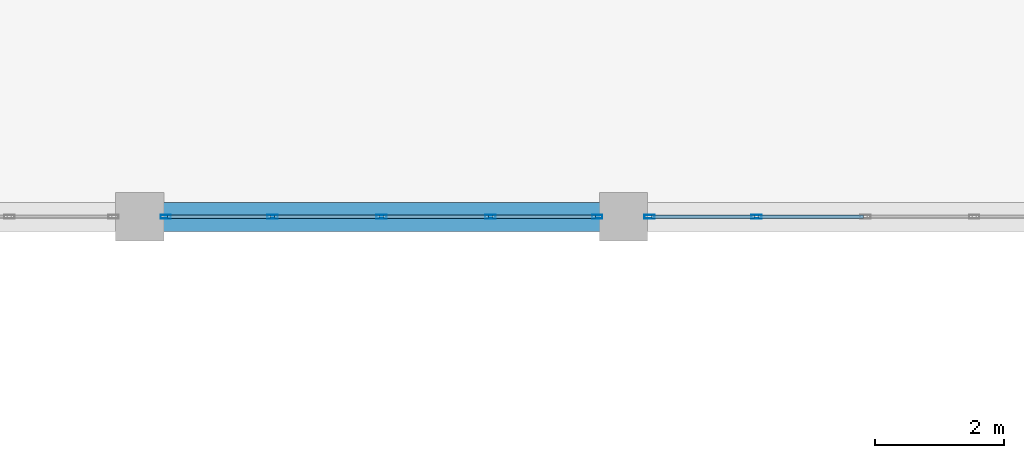
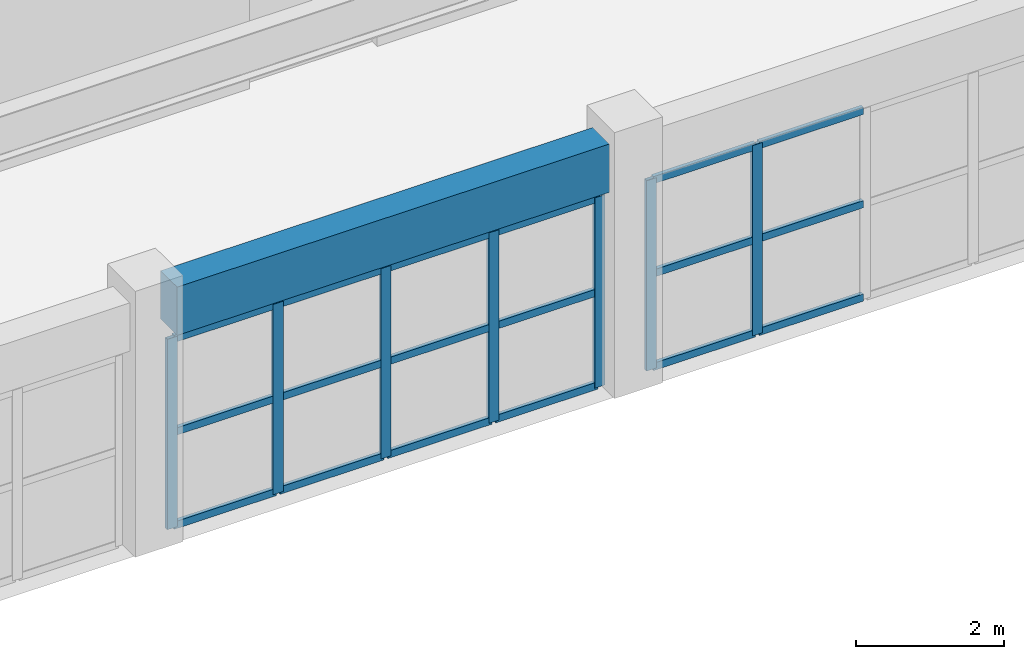
# One storey, part 22 of 90: 25 members, 1 beam, 2 elements without a shape of their own.
"""IFC4 building model written with IfcOpenShell, lengths in metres."""

from ifc_helpers import new_model, si_unit, direction, frame, origin, origin_2d, place, context, subcontext, project, spatial, rectangle, hollow_rectangle, extrude, material, layer, layer_set, material_profile, profile_set, type_object, element, aggregate, save


model = new_model("IFC4")

# Units and contexts
model_context = context("Model", 3, precision=1e-05, world=origin(), true_north=direction((0.0, 1.0)))
body_context = subcontext(model_context, "Body", "Model", "MODEL_VIEW")
ifc_project = project(units=[si_unit("LENGTHUNIT", "METRE"), si_unit("AREAUNIT", "SQUARE_METRE"), si_unit("VOLUMEUNIT", "CUBIC_METRE"), si_unit("PLANEANGLEUNIT", "RADIAN"), si_unit("MASSUNIT", "GRAM", prefix="KILO")], contexts=[model_context])

# Site, building, storey
site_placement = place(None, origin())
site = spatial("IfcSite", under=ifc_project, at=site_placement, CompositionType="ELEMENT")
building_placement = place(site_placement, origin())
building = spatial("IfcBuilding", under=site, at=building_placement, Name="Muzn Square Opera House", CompositionType="ELEMENT")
storey_placement = place(building_placement, frame((0.0, 0.0, 9.800048828125)))
storey = spatial("IfcBuildingStorey", under=building, at=storey_placement, Name="L02", CompositionType="ELEMENT", Elevation=9.800048828125)

# Curtain wall, members
ifc_material_1 = material(Name="Low-E laminated acoustic double glazing", Category="glass")
ifc_layer = layer(ifc_material_1, 0.159912109375, Name="Low-E laminated acoustic double glazing", Category="glass")
ifc_layer_set = layer_set([ifc_layer], Name="Low-E laminated acoustic double glazing")
curtain_wall_type = type_object("IfcCurtainWallType", Name="Glazed Curtain Wall Forecourt 6750x3150", PredefinedType="USERDEFINED", material=ifc_layer_set)
curtain_wall_1_placement = place(storey_placement, origin())
curtain_wall_1 = element("IfcCurtainWall", 1, at=curtain_wall_1_placement, inside=storey, type_object=curtain_wall_type, Name="Glazed Curtain Wall CW-L02-014", ObjectType="GLAZED CURTAIN WALL", PredefinedType="USERDEFINED")
ifc_material_2 = material(Name="Anodised bronze aluminium 6063-T6", Category="metal")
ifc_material_profile_1 = material_profile(ifc_material_2, hollow_rectangle(XDim=0.06005859375, YDim=0.159912109375, WallThickness=0.00390625, at=origin_2d()), Name="ALU 160x60x4", Category="metal")
ifc_profile_set_1 = profile_set([ifc_material_profile_1], Name="Anodised bronze aluminium 6063-T6")
member_type_1 = type_object("IfcMemberType", Name="Curtain Wall Mullion 160x60", PredefinedType="MULLION", material=ifc_profile_set_1)
member_1_placement = place(storey_placement, frame((80.905029296875, 22.0, 0.0), z_axis=(0.0, 0.0, 1.0), x_axis=(0.0, 1.0, 0.0)))
member_1 = element("IfcMember", 2, at=member_1_placement, type_object=member_type_1, Name="CW-FC-67x31 mullion 1", PredefinedType="MULLION", context=body_context, shape_type="SweptSolid", body=[
    extrude(hollow_rectangle(XDim=0.06005859375, YDim=0.159912109375, WallThickness=0.00390625, at=origin_2d()), origin(), (0.0, 0.0, 1.0), 3.14990234375),
])
member_2_placement = place(storey_placement, frame((82.5625, 22.0, 0.0), z_axis=(0.0, 0.0, 1.0), x_axis=(0.0, 1.0, 0.0)))
member_2 = element("IfcMember", 3, at=member_2_placement, type_object=member_type_1, Name="CW-FC-67x31 mullion 2", PredefinedType="MULLION", context=body_context, shape_type="SweptSolid", body=[
    extrude(hollow_rectangle(XDim=0.06005859375, YDim=0.159912109375, WallThickness=0.00390625, at=origin_2d()), origin(), (0.0, 0.0, 1.0), 3.14990234375),
])
member_3_placement = place(storey_placement, frame((84.25, 22.0, 0.0), z_axis=(0.0, 0.0, 1.0), x_axis=(0.0, 1.0, 0.0)))
member_3 = element("IfcMember", 4, at=member_3_placement, type_object=member_type_1, Name="CW-FC-67x31 mullion 3", PredefinedType="MULLION", context=body_context, shape_type="SweptSolid", body=[
    extrude(hollow_rectangle(XDim=0.06005859375, YDim=0.159912109375, WallThickness=0.00390625, at=origin_2d()), origin(), (0.0, 0.0, 1.0), 3.14990234375),
])
member_4_placement = place(storey_placement, frame((85.9375, 22.0, 0.0), z_axis=(0.0, 0.0, 1.0), x_axis=(0.0, 1.0, 0.0)))
member_4 = element("IfcMember", 5, at=member_4_placement, type_object=member_type_1, Name="CW-FC-67x31 mullion 4", PredefinedType="MULLION", context=body_context, shape_type="SweptSolid", body=[
    extrude(hollow_rectangle(XDim=0.06005859375, YDim=0.159912109375, WallThickness=0.00390625, at=origin_2d()), origin(), (0.0, 0.0, 1.0), 3.14990234375),
])
member_5_placement = place(storey_placement, frame((87.594970703125, 22.0, 0.0), z_axis=(0.0, 0.0, 1.0), x_axis=(0.0, 1.0, 0.0)))
member_5 = element("IfcMember", 6, at=member_5_placement, type_object=member_type_1, Name="CW-FC-67x31 mullion 5", PredefinedType="MULLION", context=body_context, shape_type="SweptSolid", body=[
    extrude(hollow_rectangle(XDim=0.06005859375, YDim=0.159912109375, WallThickness=0.00390625, at=origin_2d()), origin(), (0.0, 0.0, 1.0), 3.14990234375),
])

curtain_wall_2_placement = place(storey_placement, origin())
curtain_wall_2 = element("IfcCurtainWall", 7, at=curtain_wall_2_placement, inside=storey, type_object=curtain_wall_type, Name="Glazed Curtain Wall CW-L02-015", ObjectType="GLAZED CURTAIN WALL", PredefinedType="USERDEFINED")
member_6_placement = place(storey_placement, frame((88.405029296875, 22.0, 0.0), z_axis=(0.0, 0.0, 1.0), x_axis=(0.0, 1.0, 0.0)))
member_6 = element("IfcMember", 8, at=member_6_placement, type_object=member_type_1, Name="CW-FC-67x31 mullion 1", PredefinedType="MULLION", context=body_context, shape_type="SweptSolid", body=[
    extrude(hollow_rectangle(XDim=0.06005859375, YDim=0.159912109375, WallThickness=0.00390625, at=origin_2d()), origin(), (0.0, 0.0, 1.0), 3.14990234375),
])
member_7_placement = place(storey_placement, frame((90.0625, 22.0, 0.0), z_axis=(0.0, 0.0, 1.0), x_axis=(0.0, 1.0, 0.0)))
member_7 = element("IfcMember", 9, at=member_7_placement, type_object=member_type_1, Name="CW-FC-67x31 mullion 2", PredefinedType="MULLION", context=body_context, shape_type="SweptSolid", body=[
    extrude(hollow_rectangle(XDim=0.06005859375, YDim=0.159912109375, WallThickness=0.00390625, at=origin_2d()), origin(), (0.0, 0.0, 1.0), 3.14990234375),
])

# Member
ifc_material_profile_2 = material_profile(ifc_material_2, hollow_rectangle(XDim=0.06005859375, YDim=0.1201171875, WallThickness=0.00390625, at=origin_2d()), Name="ALU 120x60x4", Category="metal")
ifc_profile_set_2 = profile_set([ifc_material_profile_2], Name="Anodised bronze aluminium 6063-T6")
member_type_2 = type_object("IfcMemberType", Name="Curtain Wall Transom 120x60", PredefinedType="USERDEFINED", material=ifc_profile_set_2)
member_8_placement = place(storey_placement, frame((80.93505859375, 22.0, 0.030029296875), z_axis=(1.0, 0.0, 0.0), x_axis=(0.0, 1.0, 0.0)))
member_8 = element("IfcMember", 10, at=member_8_placement, type_object=member_type_2, Name="CW-FC-67x31 transom 1.1", ObjectType="TRANSOM", PredefinedType="USERDEFINED", context=body_context, shape_type="SweptSolid", body=[
    extrude(hollow_rectangle(XDim=0.06005859375, YDim=0.1201171875, WallThickness=0.00390625, at=origin_2d()), origin(), (0.0, 0.0, 1.0), 1.597412109375),
])

member_9_placement = place(storey_placement, frame((80.93505859375, 22.0, 1.574951171875), z_axis=(1.0, 0.0, 0.0), x_axis=(0.0, 1.0, 0.0)))
member_9 = element("IfcMember", 11, at=member_9_placement, type_object=member_type_2, Name="CW-FC-67x31 transom 1.2", ObjectType="TRANSOM", PredefinedType="USERDEFINED", context=body_context, shape_type="SweptSolid", body=[
    extrude(hollow_rectangle(XDim=0.06005859375, YDim=0.1201171875, WallThickness=0.00390625, at=origin_2d()), origin(), (0.0, 0.0, 1.0), 1.597412109375),
])

member_10_placement = place(storey_placement, frame((80.93505859375, 22.0, 3.119873046875), z_axis=(1.0, 0.0, 0.0), x_axis=(0.0, 1.0, 0.0)))
member_10 = element("IfcMember", 12, at=member_10_placement, type_object=member_type_2, Name="CW-FC-67x31 transom 1.3", ObjectType="TRANSOM", PredefinedType="USERDEFINED", context=body_context, shape_type="SweptSolid", body=[
    extrude(hollow_rectangle(XDim=0.06005859375, YDim=0.1201171875, WallThickness=0.00390625, at=origin_2d()), origin(), (0.0, 0.0, 1.0), 1.597412109375),
])

member_11_placement = place(storey_placement, frame((82.592529296875, 22.0, 0.030029296875), z_axis=(1.0, 0.0, 0.0), x_axis=(0.0, 1.0, 0.0)))
member_11 = element("IfcMember", 13, at=member_11_placement, type_object=member_type_2, Name="CW-FC-67x31 transom 2.1", ObjectType="TRANSOM", PredefinedType="USERDEFINED", context=body_context, shape_type="SweptSolid", body=[
    extrude(hollow_rectangle(XDim=0.06005859375, YDim=0.1201171875, WallThickness=0.00390625, at=origin_2d()), origin(), (0.0, 0.0, 1.0), 1.62744140625),
])

member_12_placement = place(storey_placement, frame((82.592529296875, 22.0, 1.574951171875), z_axis=(1.0, 0.0, 0.0), x_axis=(0.0, 1.0, 0.0)))
member_12 = element("IfcMember", 14, at=member_12_placement, type_object=member_type_2, Name="CW-FC-67x31 transom 2.2", ObjectType="TRANSOM", PredefinedType="USERDEFINED", context=body_context, shape_type="SweptSolid", body=[
    extrude(hollow_rectangle(XDim=0.06005859375, YDim=0.1201171875, WallThickness=0.00390625, at=origin_2d()), origin(), (0.0, 0.0, 1.0), 1.62744140625),
])

member_13_placement = place(storey_placement, frame((82.592529296875, 22.0, 3.119873046875), z_axis=(1.0, 0.0, 0.0), x_axis=(0.0, 1.0, 0.0)))
member_13 = element("IfcMember", 15, at=member_13_placement, type_object=member_type_2, Name="CW-FC-67x31 transom 2.3", ObjectType="TRANSOM", PredefinedType="USERDEFINED", context=body_context, shape_type="SweptSolid", body=[
    extrude(hollow_rectangle(XDim=0.06005859375, YDim=0.1201171875, WallThickness=0.00390625, at=origin_2d()), origin(), (0.0, 0.0, 1.0), 1.62744140625),
])

member_14_placement = place(storey_placement, frame((84.280029296875, 22.0, 0.030029296875), z_axis=(1.0, 0.0, 0.0), x_axis=(0.0, 1.0, 0.0)))
member_14 = element("IfcMember", 16, at=member_14_placement, type_object=member_type_2, Name="CW-FC-67x31 transom 3.1", ObjectType="TRANSOM", PredefinedType="USERDEFINED", context=body_context, shape_type="SweptSolid", body=[
    extrude(hollow_rectangle(XDim=0.06005859375, YDim=0.1201171875, WallThickness=0.00390625, at=origin_2d()), origin(), (0.0, 0.0, 1.0), 1.62744140625),
])

member_15_placement = place(storey_placement, frame((84.280029296875, 22.0, 1.574951171875), z_axis=(1.0, 0.0, 0.0), x_axis=(0.0, 1.0, 0.0)))
member_15 = element("IfcMember", 17, at=member_15_placement, type_object=member_type_2, Name="CW-FC-67x31 transom 3.2", ObjectType="TRANSOM", PredefinedType="USERDEFINED", context=body_context, shape_type="SweptSolid", body=[
    extrude(hollow_rectangle(XDim=0.06005859375, YDim=0.1201171875, WallThickness=0.00390625, at=origin_2d()), origin(), (0.0, 0.0, 1.0), 1.62744140625),
])

member_16_placement = place(storey_placement, frame((84.280029296875, 22.0, 3.119873046875), z_axis=(1.0, 0.0, 0.0), x_axis=(0.0, 1.0, 0.0)))
member_16 = element("IfcMember", 18, at=member_16_placement, type_object=member_type_2, Name="CW-FC-67x31 transom 3.3", ObjectType="TRANSOM", PredefinedType="USERDEFINED", context=body_context, shape_type="SweptSolid", body=[
    extrude(hollow_rectangle(XDim=0.06005859375, YDim=0.1201171875, WallThickness=0.00390625, at=origin_2d()), origin(), (0.0, 0.0, 1.0), 1.62744140625),
])

member_17_placement = place(storey_placement, frame((85.967529296875, 22.0, 0.030029296875), z_axis=(1.0, 0.0, 0.0), x_axis=(0.0, 1.0, 0.0)))
member_17 = element("IfcMember", 19, at=member_17_placement, type_object=member_type_2, Name="CW-FC-67x31 transom 4.1", ObjectType="TRANSOM", PredefinedType="USERDEFINED", context=body_context, shape_type="SweptSolid", body=[
    extrude(hollow_rectangle(XDim=0.06005859375, YDim=0.1201171875, WallThickness=0.00390625, at=origin_2d()), origin(), (0.0, 0.0, 1.0), 1.597412109375),
])

member_18_placement = place(storey_placement, frame((85.967529296875, 22.0, 1.574951171875), z_axis=(1.0, 0.0, 0.0), x_axis=(0.0, 1.0, 0.0)))
member_18 = element("IfcMember", 20, at=member_18_placement, type_object=member_type_2, Name="CW-FC-67x31 transom 4.2", ObjectType="TRANSOM", PredefinedType="USERDEFINED", context=body_context, shape_type="SweptSolid", body=[
    extrude(hollow_rectangle(XDim=0.06005859375, YDim=0.1201171875, WallThickness=0.00390625, at=origin_2d()), origin(), (0.0, 0.0, 1.0), 1.597412109375),
])

member_19_placement = place(storey_placement, frame((85.967529296875, 22.0, 3.119873046875), z_axis=(1.0, 0.0, 0.0), x_axis=(0.0, 1.0, 0.0)))
member_19 = element("IfcMember", 21, at=member_19_placement, type_object=member_type_2, Name="CW-FC-67x31 transom 4.3", ObjectType="TRANSOM", PredefinedType="USERDEFINED", context=body_context, shape_type="SweptSolid", body=[
    extrude(hollow_rectangle(XDim=0.06005859375, YDim=0.1201171875, WallThickness=0.00390625, at=origin_2d()), origin(), (0.0, 0.0, 1.0), 1.597412109375),
])

aggregate(curtain_wall_1, [member_1, member_2, member_3, member_4, member_5, member_8, member_9, member_10, member_11, member_12, member_13, member_14, member_15, member_16, member_17, member_18, member_19])

member_20_placement = place(storey_placement, frame((88.43505859375, 22.0, 0.030029296875), z_axis=(1.0, 0.0, 0.0), x_axis=(0.0, 1.0, 0.0)))
member_20 = element("IfcMember", 22, at=member_20_placement, type_object=member_type_2, Name="CW-FC-67x31 transom 1.1", ObjectType="TRANSOM", PredefinedType="USERDEFINED", context=body_context, shape_type="SweptSolid", body=[
    extrude(hollow_rectangle(XDim=0.06005859375, YDim=0.1201171875, WallThickness=0.00390625, at=origin_2d()), origin(), (0.0, 0.0, 1.0), 1.597412109375),
])

member_21_placement = place(storey_placement, frame((88.43505859375, 22.0, 1.574951171875), z_axis=(1.0, 0.0, 0.0), x_axis=(0.0, 1.0, 0.0)))
member_21 = element("IfcMember", 23, at=member_21_placement, type_object=member_type_2, Name="CW-FC-67x31 transom 1.2", ObjectType="TRANSOM", PredefinedType="USERDEFINED", context=body_context, shape_type="SweptSolid", body=[
    extrude(hollow_rectangle(XDim=0.06005859375, YDim=0.1201171875, WallThickness=0.00390625, at=origin_2d()), origin(), (0.0, 0.0, 1.0), 1.597412109375),
])

member_22_placement = place(storey_placement, frame((88.43505859375, 22.0, 3.119873046875), z_axis=(1.0, 0.0, 0.0), x_axis=(0.0, 1.0, 0.0)))
member_22 = element("IfcMember", 24, at=member_22_placement, type_object=member_type_2, Name="CW-FC-67x31 transom 1.3", ObjectType="TRANSOM", PredefinedType="USERDEFINED", context=body_context, shape_type="SweptSolid", body=[
    extrude(hollow_rectangle(XDim=0.06005859375, YDim=0.1201171875, WallThickness=0.00390625, at=origin_2d()), origin(), (0.0, 0.0, 1.0), 1.597412109375),
])

member_23_placement = place(storey_placement, frame((90.092529296875, 22.0, 0.030029296875), z_axis=(1.0, 0.0, 0.0), x_axis=(0.0, 1.0, 0.0)))
member_23 = element("IfcMember", 25, at=member_23_placement, type_object=member_type_2, Name="CW-FC-67x31 transom 2.1", ObjectType="TRANSOM", PredefinedType="USERDEFINED", context=body_context, shape_type="SweptSolid", body=[
    extrude(hollow_rectangle(XDim=0.06005859375, YDim=0.1201171875, WallThickness=0.00390625, at=origin_2d()), origin(), (0.0, 0.0, 1.0), 1.62744140625),
])

member_24_placement = place(storey_placement, frame((90.092529296875, 22.0, 1.574951171875), z_axis=(1.0, 0.0, 0.0), x_axis=(0.0, 1.0, 0.0)))
member_24 = element("IfcMember", 26, at=member_24_placement, type_object=member_type_2, Name="CW-FC-67x31 transom 2.2", ObjectType="TRANSOM", PredefinedType="USERDEFINED", context=body_context, shape_type="SweptSolid", body=[
    extrude(hollow_rectangle(XDim=0.06005859375, YDim=0.1201171875, WallThickness=0.00390625, at=origin_2d()), origin(), (0.0, 0.0, 1.0), 1.62744140625),
])

member_25_placement = place(storey_placement, frame((90.092529296875, 22.0, 3.119873046875), z_axis=(1.0, 0.0, 0.0), x_axis=(0.0, 1.0, 0.0)))
member_25 = element("IfcMember", 27, at=member_25_placement, type_object=member_type_2, Name="CW-FC-67x31 transom 2.3", ObjectType="TRANSOM", PredefinedType="USERDEFINED", context=body_context, shape_type="SweptSolid", body=[
    extrude(hollow_rectangle(XDim=0.06005859375, YDim=0.1201171875, WallThickness=0.00390625, at=origin_2d()), origin(), (0.0, 0.0, 1.0), 1.62744140625),
])

aggregate(curtain_wall_2, [member_6, member_7, member_20, member_21, member_22, member_23, member_24, member_25])

# Beam
ifc_material_3 = material(Name="Concrete C40/50", Category="concrete")
ifc_material_profile_3 = material_profile(ifc_material_3, rectangle(XDim=0.449951171875, YDim=0.800048828125, at=origin_2d()), Name="RCB 450x800", Category="concrete")
ifc_profile_set_3 = profile_set([ifc_material_profile_3], Name="Concrete C40/50")
beam_type = type_object("IfcBeamType", Name="Primary Girder 450x800", PredefinedType="BEAM", material=ifc_profile_set_3)
beam_placement = place(storey_placement, frame((80.866943359375, 22.0, 3.719970703125), z_axis=(1.0, 0.0, 0.0), x_axis=(0.0, 1.0, 0.0)))
element("IfcBeam", 28, at=beam_placement, inside=storey, type_object=beam_type, Name="Primary Girder BM-L02-BM-PG800-809_220_876_220-1954", PredefinedType="BEAM", context=body_context, shape_type="SweptSolid", body=[
    extrude(rectangle(XDim=0.449951171875, YDim=0.800048828125, at=origin_2d()), origin(), (0.0, 0.0, 1.0), 6.76611328125),
])

save(model, "model.ifc")
